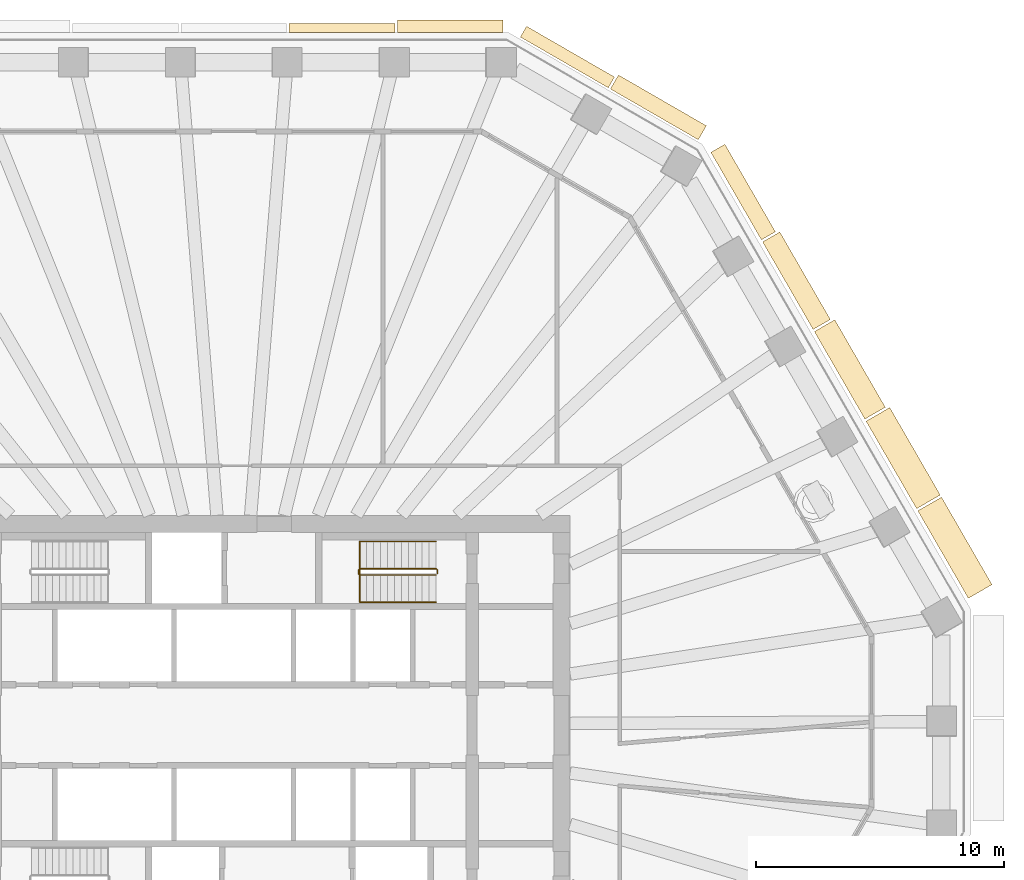
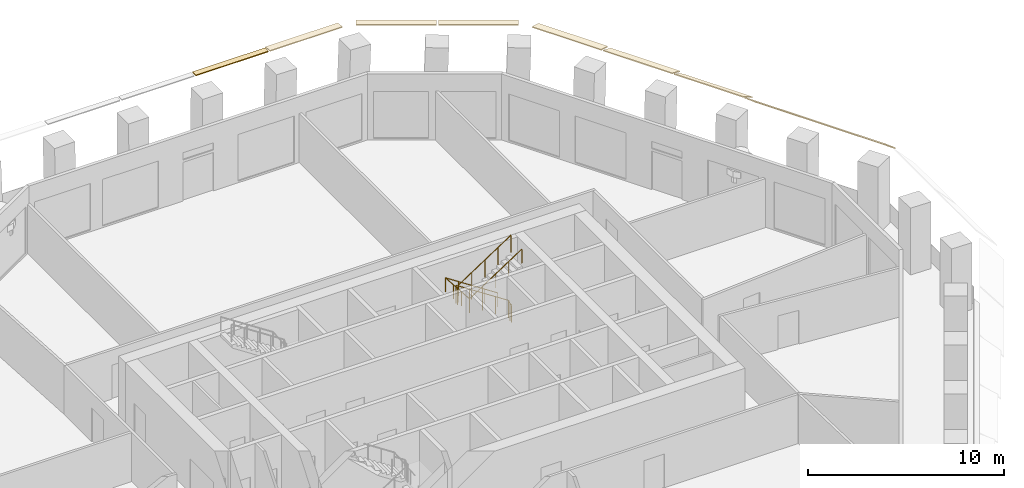
# One storey, part 10 of 12: 9 coverings, 2 railings.
"""IFC4 building model written with IfcOpenShell, lengths in metres."""

from ifc_helpers import new_model, si_unit, direction, frame, origin, origin_2d, place, context, subcontext, project, spatial, polyline, circle, outline, extrude, material, layer, layer_set, type_object, element, save


model = new_model("IFC4")

# Units and contexts
model_context = context("Model", 3, precision=1e-05, world=origin(), true_north=direction((0.0, 1.0)))
body_context = subcontext(model_context, "Body", "Model", "MODEL_VIEW")
ifc_project = project(units=[si_unit("LENGTHUNIT", "METRE"), si_unit("AREAUNIT", "SQUARE_METRE"), si_unit("VOLUMEUNIT", "CUBIC_METRE"), si_unit("PLANEANGLEUNIT", "RADIAN"), si_unit("MASSUNIT", "GRAM", prefix="KILO")], contexts=[model_context])

# Site, building, storey
site_placement = place(None, origin())
site = spatial("IfcSite", under=ifc_project, at=site_placement, CompositionType="ELEMENT")
building_placement = place(site_placement, origin())
building = spatial("IfcBuilding", under=site, at=building_placement, Name="Frailejon Research Tower", CompositionType="ELEMENT")
storey_placement = place(building_placement, frame((0.0, 0.0, 149.60009765625)))
storey = spatial("IfcBuildingStorey", under=building, at=storey_placement, Name="L32", CompositionType="ELEMENT", Elevation=149.60009765625)

# Coverings
ifc_material_1 = material(Name="Precast concrete C50/60", Category="concrete")
ifc_layer_1 = layer(ifc_material_1, 0.06005859375)
ifc_layer_set_1 = layer_set([ifc_layer_1], Name="Brim blade depth 1100")
covering_type_1 = type_object("IfcCoveringType", Name="Brim blade depth 1100", PredefinedType="CLADDING", material=ifc_layer_set_1)
for number, where, z_axis, x_axis, name in (
    (1, (27.552490234375, 8.630615234375, 4.25), (0.500006969834, -0.866021379712, 0.0), (0.866021379712, 0.500006969834, 0.0), "Brim blade L32"),
    (2, (25.468505859375, 12.239990234375, 4.25), (0.499999364741, -0.866025770551, 0.0), (0.866025770551, 0.499999364741, 0.0), "Brim blade L32"),
):
    element("IfcCovering", number, at=place(storey_placement, frame(where, z_axis=z_axis, x_axis=x_axis)), inside=storey, type_object=covering_type_1, Name=name, PredefinedType="CLADDING", context=body_context, shape_type="SweptSolid", body=[
        extrude(outline(polyline([(0.0, -0.078369140625), (1.10009765625, -1.001220703125), (1.10009765625, -0.923095703125), (0.0, 0.0), (0.0, -0.078369140625)])), origin(), (0.0, 0.0, 1.0), 4.068115234375),
    ])
ifc_material_2 = material(Name="Precast concrete C50/60", Category="concrete")
ifc_layer_2 = layer(ifc_material_2, 0.06005859375)
ifc_layer_set_2 = layer_set([ifc_layer_2], Name="Brim blade depth 350")
covering_type_2 = type_object("IfcCoveringType", Name="Brim blade depth 350", PredefinedType="CLADDING", material=ifc_layer_set_2)
covering_1_placement = place(storey_placement, frame((2.229736328125, 27.89990234375, 4.25), z_axis=(1.0, 0.0, 0.0), x_axis=(0.0, 1.0, 0.0)))
element("IfcCovering", 3, at=covering_1_placement, inside=storey, type_object=covering_type_2, Name="Brim blade L32", PredefinedType="CLADDING", context=body_context, shape_type="SweptSolid", body=[
    extrude(outline(polyline([(0.0, -0.06005859375), (0.35009765625, -0.06005859375), (0.35009765625, 0.0), (0.0, 0.0), (0.0, -0.06005859375)])), origin(), (0.0, 0.0, 1.0), 4.259765625),
])
ifc_material_3 = material(Name="Precast concrete C50/60", Category="concrete")
ifc_layer_3 = layer(ifc_material_3, 0.06005859375)
ifc_layer_set_3 = layer_set([ifc_layer_3], Name="Brim blade depth 500")
covering_type_3 = type_object("IfcCoveringType", Name="Brim blade depth 500", PredefinedType="CLADDING", material=ifc_layer_set_3)
covering_2_placement = place(storey_placement, frame((11.54248046875, 27.714111328125, 4.25), z_axis=(0.866021344981, -0.500007029989, 0.0), x_axis=(0.500007029989, 0.866021344981, 0.0)))
element("IfcCovering", 4, at=covering_2_placement, inside=storey, type_object=covering_type_3, Name="Brim blade L32", PredefinedType="CLADDING", context=body_context, shape_type="SweptSolid", body=[
    extrude(outline(polyline([(0.0, -0.060546875), (0.5, -0.130859375), (0.5, -0.0703125), (0.0, 0.0), (0.0, -0.060546875)])), origin(), (0.0, 0.0, 1.0), 4.08740234375),
])
covering_3_placement = place(storey_placement, frame((6.589599609375, 27.89990234375, 4.25), z_axis=(1.0, 0.0, 0.0), x_axis=(0.0, 1.0, 0.0)))
element("IfcCovering", 5, at=covering_3_placement, inside=storey, type_object=covering_type_3, Name="Brim blade L32", PredefinedType="CLADDING", context=body_context, shape_type="SweptSolid", body=[
    extrude(outline(polyline([(0.0, -0.060546875), (0.5, -0.130859375), (0.5, -0.0703125), (0.0, 0.0), (0.0, -0.060546875)])), origin(), (0.0, 0.0, 1.0), 4.259765625),
])
ifc_material_4 = material(Name="Precast concrete C50/60", Category="concrete")
ifc_layer_4 = layer(ifc_material_4, 0.06005859375)
ifc_layer_set_4 = layer_set([ifc_layer_4], Name="Brim blade depth 650")
covering_type_4 = type_object("IfcCoveringType", Name="Brim blade depth 650", PredefinedType="CLADDING", material=ifc_layer_set_4)
covering_4_placement = place(storey_placement, frame((19.216552734375, 23.069091796875, 4.25), z_axis=(0.499999364741, -0.866025770551, 0.0), x_axis=(0.866025770551, 0.499999364741, 0.0)))
element("IfcCovering", 6, at=covering_4_placement, inside=storey, type_object=covering_type_4, Name="Brim blade L32", PredefinedType="CLADDING", context=body_context, shape_type="SweptSolid", body=[
    extrude(outline(polyline([(0.0, -0.0625), (0.64990234375, -0.248779296875), (0.64990234375, -0.186279296875), (0.0, 0.0), (0.0, -0.0625)])), origin(), (0.0, 0.0, 1.0), 4.068115234375),
])
covering_5_placement = place(storey_placement, frame((15.1689453125, 25.620361328125, 4.25), z_axis=(0.866027315287, -0.499996689166, 0.0), x_axis=(0.499996689166, 0.866027315287, 0.0)))
element("IfcCovering", 7, at=covering_5_placement, inside=storey, type_object=covering_type_4, Name="Brim blade L32", PredefinedType="CLADDING", context=body_context, shape_type="SweptSolid", body=[
    extrude(outline(polyline([(0.0, -0.0625), (0.64990234375, -0.248779296875), (0.64990234375, -0.186279296875), (0.0, 0.0), (0.0, -0.0625)])), origin(), (0.0, 0.0, 1.0), 4.087646484375),
])
ifc_material_5 = material(Name="Precast concrete C50/60", Category="concrete")
ifc_layer_5 = layer(ifc_material_5, 0.06005859375)
ifc_layer_set_5 = layer_set([ifc_layer_5], Name="Brim blade depth 800")
covering_type_5 = type_object("IfcCoveringType", Name="Brim blade depth 800", PredefinedType="CLADDING", material=ifc_layer_set_5)
covering_6_placement = place(storey_placement, frame((21.300537109375, 19.45947265625, 4.25), z_axis=(0.500006969834, -0.866021379712, 0.0), x_axis=(0.866021379712, 0.500006969834, 0.0)))
element("IfcCovering", 8, at=covering_6_placement, inside=storey, type_object=covering_type_5, Name="Brim blade L32", PredefinedType="CLADDING", context=body_context, shape_type="SweptSolid", body=[
    extrude(outline(polyline([(0.0, -0.065673828125), (0.800048828125, -0.421875), (0.800048828125, -0.356201171875), (0.0, 0.0), (0.0, -0.065673828125)])), origin(), (0.0, 0.0, 1.0), 4.068115234375),
])
ifc_material_6 = material(Name="Precast concrete C50/60", Category="concrete")
ifc_layer_6 = layer(ifc_material_6, 0.06005859375)
ifc_layer_set_6 = layer_set([ifc_layer_6], Name="Brim blade depth 950")
covering_type_6 = type_object("IfcCoveringType", Name="Brim blade depth 950", PredefinedType="CLADDING", material=ifc_layer_set_6)
covering_7_placement = place(storey_placement, frame((23.384521484375, 15.849853515625, 4.25), z_axis=(0.49998897574, -0.86603176855, 0.0), x_axis=(0.86603176855, 0.49998897574, 0.0)))
element("IfcCovering", 9, at=covering_7_placement, inside=storey, type_object=covering_type_6, Name="Brim blade L32", PredefinedType="CLADDING", context=body_context, shape_type="SweptSolid", body=[
    extrude(outline(polyline([(0.0, -0.07080078125), (0.949951171875, -0.664306640625), (0.949951171875, -0.593505859375), (0.0, 0.0), (0.0, -0.07080078125)])), origin(), (0.0, 0.0, 1.0), 4.068115234375),
])

# Railings
ifc_material_7 = material(Name="Stainless steel", Category="steel")
railing_type_1 = type_object("IfcRailingType", Name="Stair guard 1100", PredefinedType="GUARDRAIL", material=ifc_material_7)
railing_1_placement = place(storey_placement, frame((8.199951171875, 6.10009765625, 0.0)))
element("IfcRailing", 10, at=railing_1_placement, inside=storey, type_object=railing_type_1, Name="L32 ST3 stair guard 1", PredefinedType="GUARDRAIL", context=body_context, shape_type="SweptSolid", body=[
    extrude(circle(Radius=0.02392578125, at=origin_2d()), frame((0.0, 0.0, 1.076171875), z_axis=(0.0, 1.0, 0.0), x_axis=(-1.0, 0.0, 0.0)), (0.0, 0.0, 1.0), 0.14990234375),
    extrude(circle(Radius=0.02392578125, at=origin_2d()), frame((0.0, 0.14990234375, 1.076171875), z_axis=(-0.254653276557, 0.254653276557, 0.932900539971), x_axis=(-0.707106781187, -0.707106781187, 0.0)), (0.0, 0.0, 1.0), 0.196533203125),
    extrude(circle(Radius=0.02392578125, at=origin_2d()), frame((-0.050048828125, 0.199951171875, 1.25927734375), z_axis=(-0.836613101238, 0.0, 0.547794230379), x_axis=(0.0, -1.0, 0.0)), (0.0, 0.0, 1.0), 3.681396484375),
    extrude(circle(Radius=0.02392578125, at=origin_2d()), frame((-3.1298828125, 0.199951171875, 3.27587890625), z_axis=(-0.707106781187, -0.707106781187, 0.0), x_axis=(0.707106781187, -0.707106781187, 0.0)), (0.0, 0.0, 1.0), 0.07080078125),
    extrude(circle(Radius=0.02392578125, at=origin_2d()), frame((-3.179931640625, 0.14990234375, 3.27587890625), z_axis=(0.0, -1.0, 0.0), x_axis=(1.0, 0.0, 0.0)), (0.0, 0.0, 1.0), 0.14990234375),
    extrude(circle(Radius=0.02392578125, at=origin_2d()), frame((-3.179931640625, 0.0, 3.27587890625), z_axis=(0.254653276557, -0.254653276557, 0.932900539971), x_axis=(0.707106781187, 0.707106781187, 0.0)), (0.0, 0.0, 1.0), 0.196533203125),
    extrude(circle(Radius=0.02392578125, at=origin_2d()), frame((-3.1298828125, -0.050048828125, 3.45947265625), z_axis=(0.836613101238, 0.0, 0.547794230379), x_axis=(0.0, 1.0, 0.0)), (0.0, 0.0, 1.0), 3.681396484375),
    extrude(circle(Radius=0.02099609375, at=origin_2d()), origin(), (0.0, 0.0, 1.0), 1.052001953125),
    extrude(circle(Radius=0.02099609375, at=origin_2d()), frame((0.0, 0.14990234375, 0.0)), (0.0, 0.0, 1.0), 1.052001953125),
    extrude(circle(Radius=0.02099609375, at=origin_2d()), frame((-0.050048828125, 0.199951171875, 0.183349609375)), (0.0, 0.0, 1.0), 1.052001953125),
    extrude(circle(Radius=0.02099609375, at=origin_2d()), frame((-0.820068359375, 0.199951171875, 0.6875)), (0.0, 0.0, 1.0), 1.052001953125),
    extrude(circle(Radius=0.02099609375, at=origin_2d()), frame((-1.58984375, 0.199951171875, 1.191650390625)), (0.0, 0.0, 1.0), 1.052001953125),
    extrude(circle(Radius=0.02099609375, at=origin_2d()), frame((-2.35986328125, 0.199951171875, 1.69580078125)), (0.0, 0.0, 1.0), 1.052001953125),
    extrude(circle(Radius=0.02099609375, at=origin_2d()), frame((-3.1298828125, 0.199951171875, 2.199951171875)), (0.0, 0.0, 1.0), 1.052001953125),
    extrude(circle(Radius=0.02099609375, at=origin_2d()), frame((-3.179931640625, 0.14990234375, 2.199951171875)), (0.0, 0.0, 1.0), 1.052001953125),
    extrude(circle(Radius=0.02099609375, at=origin_2d()), frame((-3.179931640625, 0.0, 2.199951171875)), (0.0, 0.0, 1.0), 1.052001953125),
    extrude(circle(Radius=0.02099609375, at=origin_2d()), frame((-3.1298828125, -0.050048828125, 2.38330078125)), (0.0, 0.0, 1.0), 1.052001953125),
    extrude(circle(Radius=0.02099609375, at=origin_2d()), frame((-2.35986328125, -0.050048828125, 2.887451171875)), (0.0, 0.0, 1.0), 1.052001953125),
    extrude(circle(Radius=0.02099609375, at=origin_2d()), frame((-1.58984375, -0.050048828125, 3.3916015625)), (0.0, 0.0, 1.0), 1.052001953125),
    extrude(circle(Radius=0.02099609375, at=origin_2d()), frame((-0.820068359375, -0.050048828125, 3.895751953125)), (0.0, 0.0, 1.0), 1.052001953125),
    extrude(circle(Radius=0.02099609375, at=origin_2d()), frame((-0.050048828125, -0.050048828125, 4.39990234375)), (0.0, 0.0, 1.0), 1.052001953125),
])
ifc_material_8 = material(Name="Stainless steel", Category="steel")
railing_type_2 = type_object("IfcRailingType", Name="Stair handrail 900", PredefinedType="HANDRAIL", material=ifc_material_8)
railing_2_placement = place(storey_placement, frame((8.14990234375, 7.39990234375, 0.183349609375)))
element("IfcRailing", 11, at=railing_2_placement, inside=storey, type_object=railing_type_2, Name="L32 ST3 stair handrail 1", PredefinedType="HANDRAIL", context=body_context, shape_type="SweptSolid", body=[
    extrude(circle(Radius=0.02392578125, at=origin_2d()), frame((0.0, 0.0, 0.8759765625), z_axis=(-0.836613101238, 0.0, 0.547794230379), x_axis=(0.0, -1.0, 0.0)), (0.0, 0.0, 1.0), 3.681396484375),
    extrude(circle(Radius=0.02392578125, at=origin_2d()), frame((-3.079833984375, 0.0, 2.892578125), z_axis=(0.0, -0.99721134034, 0.074629368868), x_axis=(1.0, 0.0, 0.0)), (0.0, 0.0, 1.0), 2.456787109375),
    extrude(circle(Radius=0.02392578125, at=origin_2d()), frame((-3.079833984375, -2.449951171875, 3.07568359375), z_axis=(0.836613101238, 0.0, 0.547794230379), x_axis=(0.0, 1.0, 0.0)), (0.0, 0.0, 1.0), 3.681396484375),
    extrude(circle(Radius=0.02099609375, at=origin_2d()), origin(), (0.0, 0.0, 1.0), 0.851806640625),
    extrude(circle(Radius=0.02099609375, at=origin_2d()), frame((-0.77001953125, 0.0, 0.504150390625)), (0.0, 0.0, 1.0), 0.851806640625),
    extrude(circle(Radius=0.02099609375, at=origin_2d()), frame((-1.5400390625, 0.0, 1.00830078125)), (0.0, 0.0, 1.0), 0.851806640625),
    extrude(circle(Radius=0.02099609375, at=origin_2d()), frame((-2.309814453125, 0.0, 1.512451171875)), (0.0, 0.0, 1.0), 0.851806640625),
    extrude(circle(Radius=0.02099609375, at=origin_2d()), frame((-3.079833984375, 0.0, 2.0166015625)), (0.0, 0.0, 1.0), 0.851806640625),
    extrude(circle(Radius=0.02099609375, at=origin_2d()), frame((-3.079833984375, -0.816650390625, 2.07763671875)), (0.0, 0.0, 1.0), 0.851806640625),
    extrude(circle(Radius=0.02099609375, at=origin_2d()), frame((-3.079833984375, -1.63330078125, 2.138916015625)), (0.0, 0.0, 1.0), 0.851806640625),
    extrude(circle(Radius=0.02099609375, at=origin_2d()), frame((-3.079833984375, -2.449951171875, 2.199951171875)), (0.0, 0.0, 1.0), 0.851806640625),
    extrude(circle(Radius=0.02099609375, at=origin_2d()), frame((-2.309814453125, -2.449951171875, 2.7041015625)), (0.0, 0.0, 1.0), 0.851806640625),
    extrude(circle(Radius=0.02099609375, at=origin_2d()), frame((-1.5400390625, -2.449951171875, 3.208251953125)), (0.0, 0.0, 1.0), 0.851806640625),
    extrude(circle(Radius=0.02099609375, at=origin_2d()), frame((-0.77001953125, -2.449951171875, 3.71240234375)), (0.0, 0.0, 1.0), 0.851806640625),
    extrude(circle(Radius=0.02099609375, at=origin_2d()), frame((0.0, -2.449951171875, 4.216552734375)), (0.0, 0.0, 1.0), 0.851806640625),
])

save(model, "model.ifc")
